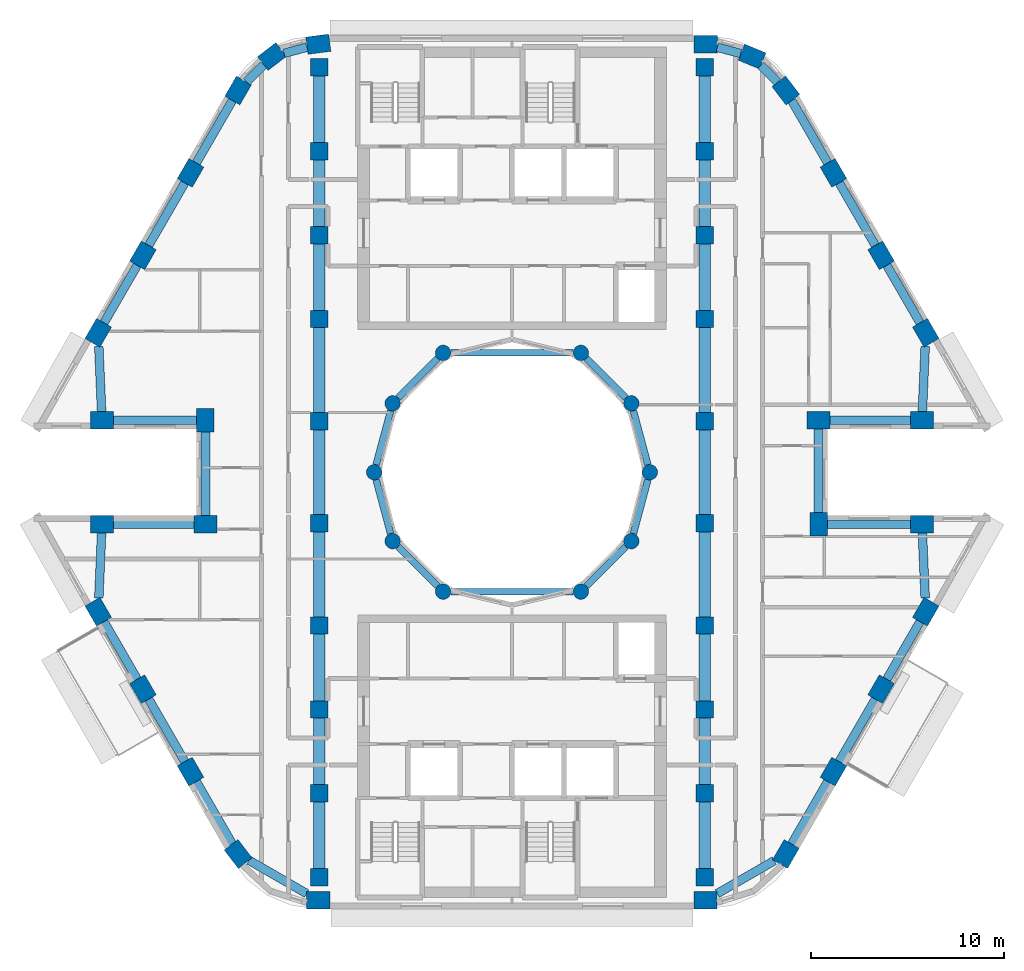
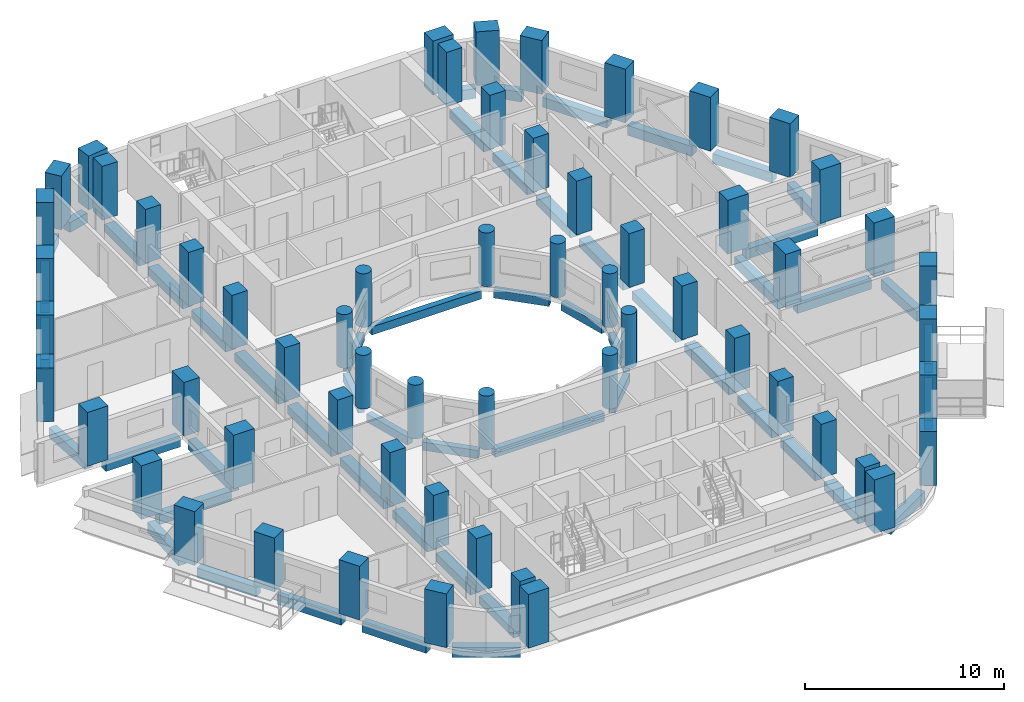
# One storey, part 1 of 16: 60 columns, 56 beams.
"""IFC4 building model written with IfcOpenShell, lengths in metres."""

from ifc_helpers import new_model, si_unit, direction, frame, origin, origin_2d, place, context, subcontext, project, spatial, rectangle, circle, extrude, material, material_profile, profile_set, type_object, element, save


model = new_model("IFC4")

# Units and contexts
model_context = context("Model", 3, precision=1e-05, world=origin(), true_north=direction((0.0, 1.0)))
body_context = subcontext(model_context, "Body", "Model", "MODEL_VIEW")
ifc_project = project(units=[si_unit("LENGTHUNIT", "METRE"), si_unit("AREAUNIT", "SQUARE_METRE"), si_unit("VOLUMEUNIT", "CUBIC_METRE"), si_unit("PLANEANGLEUNIT", "RADIAN"), si_unit("MASSUNIT", "GRAM", prefix="KILO")], contexts=[model_context])

# Site, building, storey
site_placement = place(None, origin())
site = spatial("IfcSite", under=ifc_project, at=site_placement, CompositionType="ELEMENT")
building_placement = place(site_placement, origin())
building = spatial("IfcBuilding", under=site, at=building_placement, Name="Nakaniwa Court", CompositionType="ELEMENT")
storey_placement = place(building_placement, frame((0.0, 0.0, 193.199951171875)))
storey = spatial("IfcBuildingStorey", under=building, at=storey_placement, Name="L50", CompositionType="ELEMENT", Elevation=193.199951171875)

# Columns
ifc_material = material(Name="Concrete C80/100", Category="concrete")
ifc_material_profile_1 = material_profile(ifc_material, rectangle(XDim=1.199951171875, YDim=0.89990234375, at=origin_2d()), Name="Concrete C80/100 RC 1200x900 perimeter column")
ifc_profile_set_1 = profile_set([ifc_material_profile_1], Name="Concrete C80/100")
column_type_1 = type_object("IfcColumnType", Name="Concrete C80/100 RC 1200x900 perimeter column", PredefinedType="COLUMN", material=ifc_profile_set_1)
for number, where, z_axis, x_axis, name in (
    (1, (69.95458984375, 102.199951171875, 0.0), (0.0, 0.0, 1.0), (-0.991442583111, -0.130543496177, 0.0), "COLUMN CO-01"),
    (2, (67.552001953125, 101.560302734375, 0.0), (0.0, 0.0, 1.0), (-0.793363965062, -0.608747582288, 0.0), "COLUMN CO-02"),
    (3, (65.796875, 99.799560546875, 0.0), (0.0, 0.0, 1.0), (-0.5, -0.866025403784, 0.0), "COLUMN CO-03"),
    (4, (63.328857421875, 95.524658203125, 0.0), (0.0, 0.0, 1.0), (-0.5, -0.866025403784, 0.0), "COLUMN CO-04"),
    (5, (60.860595703125, 91.249755859375, 0.0), (0.0, 0.0, 1.0), (-0.5, -0.866025403784, 0.0), "COLUMN CO-05"),
    (6, (58.541015625, 87.232177734375, 0.0), (0.0, 0.0, 1.0), (-0.5, -0.866025403784, 0.0), "COLUMN CO-06"),
    (7, (58.736083984375, 82.699951171875, 0.0), (0.0, 0.0, 1.0), (1.0, 0.0, 0.0), "COLUMN CO-08"),
    (8, (64.1005859375, 82.699951171875, 0.0), (0.0, 0.0, 1.0), (0.0, -1.0, 0.0), "COLUMN CO-09"),
    (9, (64.1005859375, 77.300048828125, 0.0), (0.0, 0.0, 1.0), (-1.0, 0.0, 0.0), "COLUMN CO-10"),
    (10, (58.736083984375, 77.300048828125, 0.0), (0.0, 0.0, 1.0), (-1.0, 0.0, 0.0), "COLUMN CO-11"),
    (11, (58.541015625, 72.767822265625, 0.0), (0.0, 0.0, 1.0), (0.5, -0.866025403784, 0.0), "COLUMN CO-13"),
    (12, (60.860595703125, 68.750244140625, 0.0), (0.0, 0.0, 1.0), (0.5, -0.866025403784, 0.0), "COLUMN CO-14"),
    (13, (63.328857421875, 64.475341796875, 0.0), (0.0, 0.0, 1.0), (0.5, -0.866025403784, 0.0), "COLUMN CO-15"),
    (14, (65.796875, 60.200439453125, 0.0), (0.0, 0.0, 1.0), (0.608761429009, -0.793353340291, 0.0), "COLUMN CO-16"),
    (15, (69.95458984375, 57.800048828125, 0.0), (0.0, 0.0, 1.0), (1.0, 0.0, 0.0), "COLUMN CO-17"),
    (16, (90.03955078125, 57.800048828125, 0.0), (0.0, 0.0, 1.0), (1.0, 0.0, 0.0), "COLUMN CO-21"),
    (17, (94.203125, 60.200439453125, 0.0), (0.0, 0.0, 1.0), (0.5, 0.866025403784, 0.0), "COLUMN CO-22"),
    (18, (96.671142578125, 64.475341796875, 0.0), (0.0, 0.0, 1.0), (0.5, 0.866025403784, 0.0), "COLUMN CO-23"),
    (19, (99.139404296875, 68.750244140625, 0.0), (0.0, 0.0, 1.0), (0.5, 0.866025403784, 0.0), "COLUMN CO-24"),
    (20, (101.458984375, 72.767822265625, 0.0), (0.0, 0.0, 1.0), (0.5, 0.866025403784, 0.0), "COLUMN CO-25"),
    (21, (101.263916015625, 77.300048828125, 0.0), (0.0, 0.0, 1.0), (-1.0, 0.0, 0.0), "COLUMN CO-27"),
    (22, (95.8994140625, 77.300048828125, 0.0), (0.0, 0.0, 1.0), (0.0, 1.0, 0.0), "COLUMN CO-28"),
    (23, (95.8994140625, 82.699951171875, 0.0), (0.0, 0.0, 1.0), (1.0, 0.0, 0.0), "COLUMN CO-29"),
    (24, (101.263916015625, 82.699951171875, 0.0), (0.0, 0.0, 1.0), (1.0, 0.0, 0.0), "COLUMN CO-30"),
    (25, (101.458984375, 87.232177734375, 0.0), (0.0, 0.0, 1.0), (-0.5, 0.866025403784, 0.0), "COLUMN CO-32"),
    (26, (99.139404296875, 91.249755859375, 0.0), (0.0, 0.0, 1.0), (-0.5, 0.866025403784, 0.0), "COLUMN CO-33"),
    (27, (96.671142578125, 95.524658203125, 0.0), (0.0, 0.0, 1.0), (-0.5, 0.866025403784, 0.0), "COLUMN CO-34"),
    (28, (94.203125, 99.799560546875, 0.0), (0.0, 0.0, 1.0), (-0.608761429009, 0.793353340291, 0.0), "COLUMN CO-35"),
    (29, (92.447998046875, 101.560302734375, 0.0), (0.0, 0.0, 1.0), (-0.923879532511, 0.382683432365, 0.0), "COLUMN CO-36"),
    (30, (90.04541015625, 102.199951171875, 0.0), (0.0, 0.0, 1.0), (-1.0, 0.0, 0.0), "COLUMN CO-37"),
):
    element("IfcColumn", number, at=place(storey_placement, frame(where, z_axis=z_axis, x_axis=x_axis)), inside=storey, type_object=column_type_1, Name=name, PredefinedType="COLUMN", context=body_context, shape_type="SweptSolid", body=[
        extrude(rectangle(XDim=1.199951171875, YDim=0.89990234375, at=origin_2d()), origin(), (0.0, 0.0, 1.0), 3.300048828125),
    ])
ifc_material_profile_2 = material_profile(ifc_material, rectangle(XDim=0.89990234375, YDim=0.89990234375, at=origin_2d()), Name="Concrete C80/100 RC 900x900 spine column")
ifc_profile_set_2 = profile_set([ifc_material_profile_2], Name="Concrete C80/100")
column_type_2 = type_object("IfcColumnType", Name="Concrete C80/100 RC 900x900 spine column", PredefinedType="COLUMN", material=ifc_profile_set_2)
for number, where, z_axis, x_axis, name in (
    (31, (90.0, 59.0, 0.0), (0.0, 0.0, 1.0), (0.0, 1.0, 0.0), "COLUMN CS-01"),
    (32, (90.0, 63.35009765625, 0.0), (0.0, 0.0, 1.0), (0.0, 1.0, 0.0), "COLUMN CS-02"),
    (33, (90.0, 67.699951171875, 0.0), (0.0, 0.0, 1.0), (0.0, 1.0, 0.0), "COLUMN CS-03"),
    (34, (90.0, 72.050048828125, 0.0), (0.0, 0.0, 1.0), (0.0, 1.0, 0.0), "COLUMN CS-04"),
    (35, (90.0, 77.35009765625, 0.0), (0.0, 0.0, 1.0), (0.0, 1.0, 0.0), "COLUMN CS-05"),
    (36, (90.0, 82.64990234375, 0.0), (0.0, 0.0, 1.0), (0.0, 1.0, 0.0), "COLUMN CS-06"),
    (37, (90.0, 87.949951171875, 0.0), (0.0, 0.0, 1.0), (0.0, 1.0, 0.0), "COLUMN CS-07"),
    (38, (90.0, 92.300048828125, 0.0), (0.0, 0.0, 1.0), (0.0, 1.0, 0.0), "COLUMN CS-08"),
    (39, (90.0, 96.64990234375, 0.0), (0.0, 0.0, 1.0), (0.0, 1.0, 0.0), "COLUMN CS-09"),
    (40, (90.0, 101.0, 0.0), (0.0, 0.0, 1.0), (0.0, 1.0, 0.0), "COLUMN CS-10"),
    (41, (70.0, 101.0, 0.0), (0.0, 0.0, 1.0), (0.0, -1.0, 0.0), "COLUMN CS-11"),
    (42, (70.0, 96.64990234375, 0.0), (0.0, 0.0, 1.0), (0.0, -1.0, 0.0), "COLUMN CS-12"),
    (43, (70.0, 92.300048828125, 0.0), (0.0, 0.0, 1.0), (0.0, -1.0, 0.0), "COLUMN CS-13"),
    (44, (70.0, 87.949951171875, 0.0), (0.0, 0.0, 1.0), (0.0, -1.0, 0.0), "COLUMN CS-14"),
    (45, (70.0, 82.64990234375, 0.0), (0.0, 0.0, 1.0), (0.0, -1.0, 0.0), "COLUMN CS-15"),
    (46, (70.0, 77.35009765625, 0.0), (0.0, 0.0, 1.0), (0.0, -1.0, 0.0), "COLUMN CS-16"),
    (47, (70.0, 72.050048828125, 0.0), (0.0, 0.0, 1.0), (0.0, -1.0, 0.0), "COLUMN CS-17"),
    (48, (70.0, 67.699951171875, 0.0), (0.0, 0.0, 1.0), (0.0, -1.0, 0.0), "COLUMN CS-18"),
    (49, (70.0, 63.35009765625, 0.0), (0.0, 0.0, 1.0), (0.0, -1.0, 0.0), "COLUMN CS-19"),
    (50, (70.0, 59.0, 0.0), (0.0, 0.0, 1.0), (0.0, -1.0, 0.0), "COLUMN CS-20"),
):
    element("IfcColumn", number, at=place(storey_placement, frame(where, z_axis=z_axis, x_axis=x_axis)), inside=storey, type_object=column_type_2, Name=name, PredefinedType="COLUMN", context=body_context, shape_type="SweptSolid", body=[
        extrude(rectangle(XDim=0.89990234375, YDim=0.89990234375, at=origin_2d()), origin(), (0.0, 0.0, 1.0), 3.300048828125),
    ])
ifc_material_profile_3 = material_profile(ifc_material, circle(Radius=0.39990234375, at=origin_2d()), Name="Concrete C80/100 RC D800 inner ring column")
ifc_profile_set_3 = profile_set([ifc_material_profile_3], Name="Concrete C80/100")
column_type_3 = type_object("IfcColumnType", Name="Concrete C80/100 RC D800 inner ring column", PredefinedType="COLUMN", material=ifc_profile_set_3)
for number, where, z_axis, x_axis, name in (
    (51, (87.14990234375, 80.0, 0.0), (0.0, 0.0, 1.0), (0.0, 1.0, 0.0), "COLUMN CI-01"),
    (52, (86.192138671875, 83.574951171875, 0.0), (0.0, 0.0, 1.0), (-0.5, 0.866025403784, 0.0), "COLUMN CI-02"),
    (53, (83.574951171875, 86.192138671875, 0.0), (0.0, 0.0, 1.0), (-0.866025403784, 0.5, 0.0), "COLUMN CI-03"),
    (54, (76.425048828125, 86.192138671875, 0.0), (0.0, 0.0, 1.0), (-0.866025403784, -0.5, 0.0), "COLUMN CI-05"),
    (55, (73.807861328125, 83.574951171875, 0.0), (0.0, 0.0, 1.0), (-0.5, -0.866025403784, 0.0), "COLUMN CI-06"),
    (56, (72.85009765625, 80.0, 0.0), (0.0, 0.0, 1.0), (0.0, -1.0, 0.0), "COLUMN CI-07"),
    (57, (73.807861328125, 76.425048828125, 0.0), (0.0, 0.0, 1.0), (0.5, -0.866025403784, 0.0), "COLUMN CI-08"),
    (58, (76.425048828125, 73.807861328125, 0.0), (0.0, 0.0, 1.0), (0.866025403784, -0.5, 0.0), "COLUMN CI-09"),
    (59, (83.574951171875, 73.807861328125, 0.0), (0.0, 0.0, 1.0), (0.866025403784, 0.5, 0.0), "COLUMN CI-11"),
    (60, (86.192138671875, 76.425048828125, 0.0), (0.0, 0.0, 1.0), (0.5, 0.866025403784, 0.0), "COLUMN CI-12"),
):
    element("IfcColumn", number, at=place(storey_placement, frame(where, z_axis=z_axis, x_axis=x_axis)), inside=storey, type_object=column_type_3, Name=name, PredefinedType="COLUMN", context=body_context, shape_type="SweptSolid", body=[
        extrude(circle(Radius=0.39990234375, at=origin_2d()), origin(), (0.0, 0.0, 1.0), 3.300048828125),
    ])

# Beams
ifc_material_profile_4 = material_profile(ifc_material, rectangle(XDim=0.35009765625, YDim=0.5, at=origin_2d()), Name="Concrete C80/100 RC 350x500 ring beam")
ifc_profile_set_4 = profile_set([ifc_material_profile_4], Name="Concrete C80/100")
beam_type_1 = type_object("IfcBeamType", Name="Concrete C80/100 RC 350x500 ring beam", PredefinedType="BEAM", material=ifc_profile_set_4)
beam_1_placement = place(storey_placement, frame((87.04638671875, 80.386474609375, -0.52490234375), z_axis=(-0.258778150207, 0.965936783115, 0.0), x_axis=(-0.965936783115, -0.258778150207, 0.0)))
element("IfcBeam", 61, at=beam_1_placement, inside=storey, type_object=beam_type_1, Name="RING BEAM", PredefinedType="BEAM", context=body_context, shape_type="SweptSolid", body=[
    extrude(rectangle(XDim=0.35009765625, YDim=0.5, at=origin_2d()), origin(), (0.0, 0.0, 1.0), 2.901123046875),
])
beam_2_placement = place(storey_placement, frame((85.9091796875, 83.85791015625, -0.52490234375), z_axis=(-0.707106781187, 0.707106781187, 0.0), x_axis=(-0.707106781187, -0.707106781187, 0.0)))
element("IfcBeam", 62, at=beam_2_placement, inside=storey, type_object=beam_type_1, Name="RING BEAM", PredefinedType="BEAM", context=body_context, shape_type="SweptSolid", body=[
    extrude(rectangle(XDim=0.35009765625, YDim=0.5, at=origin_2d()), origin(), (0.0, 0.0, 1.0), 2.90087890625),
])
beam_3_placement = place(storey_placement, frame((83.175048828125, 86.192138671875, -0.52490234375), z_axis=(-1.0, 0.0, 0.0), x_axis=(0.0, -1.0, 0.0)))
element("IfcBeam", 63, at=beam_3_placement, inside=storey, type_object=beam_type_1, Name="RING BEAM", PredefinedType="BEAM", context=body_context, shape_type="SweptSolid", body=[
    extrude(rectangle(XDim=0.35009765625, YDim=0.5, at=origin_2d()), origin(), (0.0, 0.0, 1.0), 6.35009765625),
])
beam_4_placement = place(storey_placement, frame((76.14208984375, 85.9091796875, -0.52490234375), z_axis=(-0.707106781187, -0.707106781187, 0.0), x_axis=(0.707106781187, -0.707106781187, 0.0)))
element("IfcBeam", 64, at=beam_4_placement, inside=storey, type_object=beam_type_1, Name="RING BEAM", PredefinedType="BEAM", context=body_context, shape_type="SweptSolid", body=[
    extrude(rectangle(XDim=0.35009765625, YDim=0.5, at=origin_2d()), origin(), (0.0, 0.0, 1.0), 2.90087890625),
])
for number, where, z_axis, x_axis, name in (
    (65, (73.704345703125, 83.188720703125, -0.52490234375), (-0.258778150207, -0.965936783115, 0.0), (0.965936783115, -0.258778150207, 0.0), "RING BEAM"),
    (66, (72.95361328125, 79.613525390625, -0.52490234375), (0.258778150207, -0.965936783115, 0.0), (0.965936783115, 0.258778150207, 0.0), "RING BEAM"),
):
    element("IfcBeam", number, at=place(storey_placement, frame(where, z_axis=z_axis, x_axis=x_axis)), inside=storey, type_object=beam_type_1, Name=name, PredefinedType="BEAM", context=body_context, shape_type="SweptSolid", body=[
        extrude(rectangle(XDim=0.35009765625, YDim=0.5, at=origin_2d()), origin(), (0.0, 0.0, 1.0), 2.901123046875),
    ])
beam_5_placement = place(storey_placement, frame((74.0908203125, 76.14208984375, -0.52490234375), z_axis=(0.707106781187, -0.707106781187, 0.0), x_axis=(0.707106781187, 0.707106781187, 0.0)))
element("IfcBeam", 67, at=beam_5_placement, inside=storey, type_object=beam_type_1, Name="RING BEAM", PredefinedType="BEAM", context=body_context, shape_type="SweptSolid", body=[
    extrude(rectangle(XDim=0.35009765625, YDim=0.5, at=origin_2d()), origin(), (0.0, 0.0, 1.0), 2.90087890625),
])
beam_6_placement = place(storey_placement, frame((76.824951171875, 73.807861328125, -0.52490234375), z_axis=(1.0, 0.0, 0.0), x_axis=(0.0, 1.0, 0.0)))
element("IfcBeam", 68, at=beam_6_placement, inside=storey, type_object=beam_type_1, Name="RING BEAM", PredefinedType="BEAM", context=body_context, shape_type="SweptSolid", body=[
    extrude(rectangle(XDim=0.35009765625, YDim=0.5, at=origin_2d()), origin(), (0.0, 0.0, 1.0), 6.35009765625),
])
beam_7_placement = place(storey_placement, frame((83.85791015625, 74.0908203125, -0.52490234375), z_axis=(0.707106781187, 0.707106781187, 0.0), x_axis=(-0.707106781187, 0.707106781187, 0.0)))
element("IfcBeam", 69, at=beam_7_placement, inside=storey, type_object=beam_type_1, Name="RING BEAM", PredefinedType="BEAM", context=body_context, shape_type="SweptSolid", body=[
    extrude(rectangle(XDim=0.35009765625, YDim=0.5, at=origin_2d()), origin(), (0.0, 0.0, 1.0), 2.90087890625),
])
beam_8_placement = place(storey_placement, frame((86.295654296875, 76.811279296875, -0.52490234375), z_axis=(0.258778150207, 0.965936783115, 0.0), x_axis=(-0.965936783115, 0.258778150207, 0.0)))
element("IfcBeam", 70, at=beam_8_placement, inside=storey, type_object=beam_type_1, Name="RING BEAM", PredefinedType="BEAM", context=body_context, shape_type="SweptSolid", body=[
    extrude(rectangle(XDim=0.35009765625, YDim=0.5, at=origin_2d()), origin(), (0.0, 0.0, 1.0), 2.901123046875),
])
ifc_material_profile_5 = material_profile(ifc_material, rectangle(XDim=0.449951171875, YDim=0.60009765625, at=origin_2d()), Name="Concrete C80/100 RC 450x600 spandrel beam")
ifc_profile_set_5 = profile_set([ifc_material_profile_5], Name="Concrete C80/100")
beam_type_2 = type_object("IfcBeamType", Name="Concrete C80/100 RC 450x600 spandrel beam", PredefinedType="BEAM", material=ifc_profile_set_5)
beam_9_placement = place(storey_placement, frame((69.3701171875, 102.044189453125, -0.574951171875), z_axis=(-0.966320442624, -0.257341800272, 0.0), x_axis=(0.257341800272, -0.966320442624, 0.0)))
element("IfcBeam", 71, at=beam_9_placement, inside=storey, type_object=beam_type_2, Name="SPANDREL BEAM", PredefinedType="BEAM", context=body_context, shape_type="SweptSolid", body=[
    extrude(rectangle(XDim=0.449951171875, YDim=0.60009765625, at=origin_2d()), origin(), (0.0, 0.0, 1.0), 1.2314453125),
])
beam_10_placement = place(storey_placement, frame((67.124755859375, 101.131591796875, -0.574951171875), z_axis=(-0.705943141011, -0.708268509578, 0.0), x_axis=(0.708268509578, -0.705943141011, 0.0)))
element("IfcBeam", 72, at=beam_10_placement, inside=storey, type_object=beam_type_2, Name="SPANDREL BEAM", PredefinedType="BEAM", context=body_context, shape_type="SweptSolid", body=[
    extrude(rectangle(XDim=0.449951171875, YDim=0.60009765625, at=origin_2d()), origin(), (0.0, 0.0, 1.0), 1.259765625),
])
for number, where, z_axis, x_axis, name in (
    (73, (65.496826171875, 99.27978515625, -0.574951171875), (-0.499969460568, -0.866043035016, 0.0), (0.866043035016, -0.499969460568, 0.0), "SPANDREL BEAM"),
    (74, (63.02880859375, 95.0048828125, -0.574951171875), (-0.500018470369, -0.866014739649, 0.0), (0.866014739649, -0.500018470369, 0.0), "SPANDREL BEAM"),
):
    element("IfcBeam", number, at=place(storey_placement, frame(where, z_axis=z_axis, x_axis=x_axis)), inside=storey, type_object=beam_type_2, Name=name, PredefinedType="BEAM", context=body_context, shape_type="SweptSolid", body=[
        extrude(rectangle(XDim=0.449951171875, YDim=0.60009765625, at=origin_2d()), origin(), (0.0, 0.0, 1.0), 3.736083984375),
    ])
beam_11_placement = place(storey_placement, frame((60.560791015625, 90.72998046875, -0.574951171875), z_axis=(-0.500048133448, -0.865997612142, 0.0), x_axis=(0.865997612142, -0.500048133448, 0.0)))
element("IfcBeam", 75, at=beam_11_placement, inside=storey, type_object=beam_type_2, Name="SPANDREL BEAM", PredefinedType="BEAM", context=body_context, shape_type="SweptSolid", body=[
    extrude(rectangle(XDim=0.449951171875, YDim=0.60009765625, at=origin_2d()), origin(), (0.0, 0.0, 1.0), 3.439208984375),
])
beam_12_placement = place(storey_placement, frame((58.57177734375, 86.521728515625, -0.574951171875), z_axis=(0.042897265713, -0.999079488627, 0.0), x_axis=(0.999079488627, 0.042897265713, 0.0)))
element("IfcBeam", 76, at=beam_12_placement, inside=storey, type_object=beam_type_2, Name="SPANDREL BEAM", PredefinedType="BEAM", context=body_context, shape_type="SweptSolid", body=[
    extrude(rectangle(XDim=0.449951171875, YDim=0.60009765625, at=origin_2d()), origin(), (0.0, 0.0, 1.0), 3.375),
])
beam_13_placement = place(storey_placement, frame((59.3359375, 82.699951171875, -0.574951171875), z_axis=(1.0, 0.0, 0.0), x_axis=(0.0, 1.0, 0.0)))
element("IfcBeam", 77, at=beam_13_placement, inside=storey, type_object=beam_type_2, Name="SPANDREL BEAM", PredefinedType="BEAM", context=body_context, shape_type="SweptSolid", body=[
    extrude(rectangle(XDim=0.449951171875, YDim=0.60009765625, at=origin_2d()), origin(), (0.0, 0.0, 1.0), 4.314453125),
])
beam_14_placement = place(storey_placement, frame((64.1005859375, 82.10009765625, -0.574951171875), z_axis=(0.0, -1.0, 0.0), x_axis=(1.0, 0.0, 0.0)))
element("IfcBeam", 78, at=beam_14_placement, inside=storey, type_object=beam_type_2, Name="SPANDREL BEAM", PredefinedType="BEAM", context=body_context, shape_type="SweptSolid", body=[
    extrude(rectangle(XDim=0.449951171875, YDim=0.60009765625, at=origin_2d()), origin(), (0.0, 0.0, 1.0), 4.35009765625),
])
beam_15_placement = place(storey_placement, frame((63.50048828125, 77.300048828125, -0.574951171875), z_axis=(-1.0, 0.0, 0.0), x_axis=(0.0, -1.0, 0.0)))
element("IfcBeam", 79, at=beam_15_placement, inside=storey, type_object=beam_type_2, Name="SPANDREL BEAM", PredefinedType="BEAM", context=body_context, shape_type="SweptSolid", body=[
    extrude(rectangle(XDim=0.449951171875, YDim=0.60009765625, at=origin_2d()), origin(), (0.0, 0.0, 1.0), 4.16455078125),
])
beam_16_placement = place(storey_placement, frame((58.716552734375, 76.85009765625, -0.574951171875), z_axis=(-0.042897265713, -0.999079488627, 0.0), x_axis=(0.999079488627, -0.042897265713, 0.0)))
element("IfcBeam", 80, at=beam_16_placement, inside=storey, type_object=beam_type_2, Name="SPANDREL BEAM", PredefinedType="BEAM", context=body_context, shape_type="SweptSolid", body=[
    extrude(rectangle(XDim=0.449951171875, YDim=0.60009765625, at=origin_2d()), origin(), (0.0, 0.0, 1.0), 3.375),
])
beam_17_placement = place(storey_placement, frame((58.841064453125, 72.248291015625, -0.574951171875), z_axis=(0.500048133448, -0.865997612142, 0.0), x_axis=(0.865997612142, 0.500048133448, 0.0)))
element("IfcBeam", 81, at=beam_17_placement, inside=storey, type_object=beam_type_2, Name="SPANDREL BEAM", PredefinedType="BEAM", context=body_context, shape_type="SweptSolid", body=[
    extrude(rectangle(XDim=0.449951171875, YDim=0.60009765625, at=origin_2d()), origin(), (0.0, 0.0, 1.0), 3.439208984375),
])
beam_18_placement = place(storey_placement, frame((61.16064453125, 68.230712890625, -0.574951171875), z_axis=(0.500018470369, -0.866014739649, 0.0), x_axis=(0.866014739649, 0.500018470369, 0.0)))
element("IfcBeam", 82, at=beam_18_placement, inside=storey, type_object=beam_type_2, Name="SPANDREL BEAM", PredefinedType="BEAM", context=body_context, shape_type="SweptSolid", body=[
    extrude(rectangle(XDim=0.449951171875, YDim=0.60009765625, at=origin_2d()), origin(), (0.0, 0.0, 1.0), 3.736083984375),
])
beam_19_placement = place(storey_placement, frame((63.62890625, 63.955810546875, -0.574951171875), z_axis=(0.499988672538, -0.866031943599, 0.0), x_axis=(0.866031943599, 0.499988672538, 0.0)))
element("IfcBeam", 83, at=beam_19_placement, inside=storey, type_object=beam_type_2, Name="SPANDREL BEAM", PredefinedType="BEAM", context=body_context, shape_type="SweptSolid", body=[
    extrude(rectangle(XDim=0.449951171875, YDim=0.60009765625, at=origin_2d()), origin(), (0.0, 0.0, 1.0), 3.73095703125),
])
beam_20_placement = place(storey_placement, frame((66.359375, 59.875732421875, -0.574951171875), z_axis=(0.866041005548, -0.49997297598, 0.0), x_axis=(0.49997297598, 0.866041005548, 0.0)))
element("IfcBeam", 84, at=beam_20_placement, inside=storey, type_object=beam_type_2, Name="SPANDREL BEAM", PredefinedType="BEAM", context=body_context, shape_type="SweptSolid", body=[
    extrude(rectangle(XDim=0.449951171875, YDim=0.60009765625, at=origin_2d()), origin(), (0.0, 0.0, 1.0), 3.458740234375),
])
beam_21_placement = place(storey_placement, frame((90.639404296875, 58.14599609375, -0.574951171875), z_axis=(0.866361397704, 0.499417589367, 0.0), x_axis=(-0.499417589367, 0.866361397704, 0.0)))
element("IfcBeam", 85, at=beam_21_placement, inside=storey, type_object=beam_type_2, Name="SPANDREL BEAM", PredefinedType="BEAM", context=body_context, shape_type="SweptSolid", body=[
    extrude(rectangle(XDim=0.449951171875, YDim=0.60009765625, at=origin_2d()), origin(), (0.0, 0.0, 1.0), 3.42041015625),
])
for number, where, z_axis, x_axis, name in (
    (86, (94.503173828125, 60.72021484375, -0.574951171875), (0.499969460568, 0.866043035016, 0.0), (-0.866043035016, 0.499969460568, 0.0), "SPANDREL BEAM"),
    (87, (96.97119140625, 64.9951171875, -0.574951171875), (0.500018470369, 0.866014739649, 0.0), (-0.866014739649, 0.500018470369, 0.0), "SPANDREL BEAM"),
):
    element("IfcBeam", number, at=place(storey_placement, frame(where, z_axis=z_axis, x_axis=x_axis)), inside=storey, type_object=beam_type_2, Name=name, PredefinedType="BEAM", context=body_context, shape_type="SweptSolid", body=[
        extrude(rectangle(XDim=0.449951171875, YDim=0.60009765625, at=origin_2d()), origin(), (0.0, 0.0, 1.0), 3.736083984375),
    ])
beam_22_placement = place(storey_placement, frame((99.439208984375, 69.27001953125, -0.574951171875), z_axis=(0.500048133448, 0.865997612142, 0.0), x_axis=(-0.865997612142, 0.500048133448, 0.0)))
element("IfcBeam", 88, at=beam_22_placement, inside=storey, type_object=beam_type_2, Name="SPANDREL BEAM", PredefinedType="BEAM", context=body_context, shape_type="SweptSolid", body=[
    extrude(rectangle(XDim=0.449951171875, YDim=0.60009765625, at=origin_2d()), origin(), (0.0, 0.0, 1.0), 3.439208984375),
])
beam_23_placement = place(storey_placement, frame((101.42822265625, 73.478271484375, -0.574951171875), z_axis=(-0.042897265713, 0.999079488627, 0.0), x_axis=(-0.999079488627, -0.042897265713, 0.0)))
element("IfcBeam", 89, at=beam_23_placement, inside=storey, type_object=beam_type_2, Name="SPANDREL BEAM", PredefinedType="BEAM", context=body_context, shape_type="SweptSolid", body=[
    extrude(rectangle(XDim=0.449951171875, YDim=0.60009765625, at=origin_2d()), origin(), (0.0, 0.0, 1.0), 3.375),
])
beam_24_placement = place(storey_placement, frame((100.6640625, 77.300048828125, -0.574951171875), z_axis=(-1.0, 0.0, 0.0), x_axis=(0.0, -1.0, 0.0)))
element("IfcBeam", 90, at=beam_24_placement, inside=storey, type_object=beam_type_2, Name="SPANDREL BEAM", PredefinedType="BEAM", context=body_context, shape_type="SweptSolid", body=[
    extrude(rectangle(XDim=0.449951171875, YDim=0.60009765625, at=origin_2d()), origin(), (0.0, 0.0, 1.0), 4.314453125),
])
beam_25_placement = place(storey_placement, frame((95.8994140625, 77.89990234375, -0.574951171875), z_axis=(0.0, 1.0, 0.0), x_axis=(-1.0, 0.0, 0.0)))
element("IfcBeam", 91, at=beam_25_placement, inside=storey, type_object=beam_type_2, Name="SPANDREL BEAM", PredefinedType="BEAM", context=body_context, shape_type="SweptSolid", body=[
    extrude(rectangle(XDim=0.449951171875, YDim=0.60009765625, at=origin_2d()), origin(), (0.0, 0.0, 1.0), 4.35009765625),
])
beam_26_placement = place(storey_placement, frame((96.49951171875, 82.699951171875, -0.574951171875), z_axis=(1.0, 0.0, 0.0), x_axis=(0.0, 1.0, 0.0)))
element("IfcBeam", 92, at=beam_26_placement, inside=storey, type_object=beam_type_2, Name="SPANDREL BEAM", PredefinedType="BEAM", context=body_context, shape_type="SweptSolid", body=[
    extrude(rectangle(XDim=0.449951171875, YDim=0.60009765625, at=origin_2d()), origin(), (0.0, 0.0, 1.0), 4.16455078125),
])
beam_27_placement = place(storey_placement, frame((101.283447265625, 83.14990234375, -0.574951171875), z_axis=(0.042897265713, 0.999079488627, 0.0), x_axis=(-0.999079488627, 0.042897265713, 0.0)))
element("IfcBeam", 93, at=beam_27_placement, inside=storey, type_object=beam_type_2, Name="SPANDREL BEAM", PredefinedType="BEAM", context=body_context, shape_type="SweptSolid", body=[
    extrude(rectangle(XDim=0.449951171875, YDim=0.60009765625, at=origin_2d()), origin(), (0.0, 0.0, 1.0), 3.375),
])
beam_28_placement = place(storey_placement, frame((101.158935546875, 87.751708984375, -0.574951171875), z_axis=(-0.500048133448, 0.865997612142, 0.0), x_axis=(-0.865997612142, -0.500048133448, 0.0)))
element("IfcBeam", 94, at=beam_28_placement, inside=storey, type_object=beam_type_2, Name="SPANDREL BEAM", PredefinedType="BEAM", context=body_context, shape_type="SweptSolid", body=[
    extrude(rectangle(XDim=0.449951171875, YDim=0.60009765625, at=origin_2d()), origin(), (0.0, 0.0, 1.0), 3.439208984375),
])
beam_29_placement = place(storey_placement, frame((98.83935546875, 91.769287109375, -0.574951171875), z_axis=(-0.500018470369, 0.866014739649, 0.0), x_axis=(-0.866014739649, -0.500018470369, 0.0)))
element("IfcBeam", 95, at=beam_29_placement, inside=storey, type_object=beam_type_2, Name="SPANDREL BEAM", PredefinedType="BEAM", context=body_context, shape_type="SweptSolid", body=[
    extrude(rectangle(XDim=0.449951171875, YDim=0.60009765625, at=origin_2d()), origin(), (0.0, 0.0, 1.0), 3.736083984375),
])
beam_30_placement = place(storey_placement, frame((96.37109375, 96.044189453125, -0.574951171875), z_axis=(-0.499988672538, 0.866031943599, 0.0), x_axis=(-0.866031943599, -0.499988672538, 0.0)))
element("IfcBeam", 96, at=beam_30_placement, inside=storey, type_object=beam_type_2, Name="SPANDREL BEAM", PredefinedType="BEAM", context=body_context, shape_type="SweptSolid", body=[
    extrude(rectangle(XDim=0.449951171875, YDim=0.60009765625, at=origin_2d()), origin(), (0.0, 0.0, 1.0), 3.73095703125),
])
beam_31_placement = place(storey_placement, frame((93.77587890625, 100.22802734375, -0.574951171875), z_axis=(-0.705916034154, 0.708295526404, 0.0), x_axis=(-0.708295526404, -0.705916034154, 0.0)))
element("IfcBeam", 97, at=beam_31_placement, inside=storey, type_object=beam_type_2, Name="SPANDREL BEAM", PredefinedType="BEAM", context=body_context, shape_type="SweptSolid", body=[
    extrude(rectangle(XDim=0.449951171875, YDim=0.60009765625, at=origin_2d()), origin(), (0.0, 0.0, 1.0), 1.231201171875),
])
beam_32_placement = place(storey_placement, frame((91.863037109375, 101.716064453125, -0.574951171875), z_axis=(-0.966337757832, 0.257276772735, 0.0), x_axis=(-0.257276772735, -0.966337757832, 0.0)))
element("IfcBeam", 98, at=beam_32_placement, inside=storey, type_object=beam_type_2, Name="SPANDREL BEAM", PredefinedType="BEAM", context=body_context, shape_type="SweptSolid", body=[
    extrude(rectangle(XDim=0.449951171875, YDim=0.60009765625, at=origin_2d()), origin(), (0.0, 0.0, 1.0), 1.26025390625),
])
ifc_material_profile_6 = material_profile(ifc_material, rectangle(XDim=0.60009765625, YDim=0.5, at=origin_2d()), Name="Concrete C80/100 RC 600x500 ring beam")
ifc_profile_set_6 = profile_set([ifc_material_profile_6], Name="Concrete C80/100")
beam_type_3 = type_object("IfcBeamType", Name="Concrete C80/100 RC 600x500 ring beam", PredefinedType="BEAM", material=ifc_profile_set_6)
for number, where, z_axis, x_axis, name in (
    (99, (90.0, 59.449951171875, -0.52490234375), (0.0, 1.0, 0.0), (-1.0, 0.0, 0.0), "RING BEAM"),
    (100, (90.0, 63.800048828125, -0.52490234375), (0.0, 1.0, 0.0), (-1.0, 0.0, 0.0), "RING BEAM"),
):
    element("IfcBeam", number, at=place(storey_placement, frame(where, z_axis=z_axis, x_axis=x_axis)), inside=storey, type_object=beam_type_3, Name=name, PredefinedType="BEAM", context=body_context, shape_type="SweptSolid", body=[
        extrude(rectangle(XDim=0.60009765625, YDim=0.5, at=origin_2d()), origin(), (0.0, 0.0, 1.0), 3.449951171875),
    ])
beam_33_placement = place(storey_placement, frame((90.0, 68.14990234375, -0.52490234375), z_axis=(0.0, 1.0, 0.0), x_axis=(-1.0, 0.0, 0.0)))
element("IfcBeam", 101, at=beam_33_placement, inside=storey, type_object=beam_type_3, Name="RING BEAM", PredefinedType="BEAM", context=body_context, shape_type="SweptSolid", body=[
    extrude(rectangle(XDim=0.60009765625, YDim=0.5, at=origin_2d()), origin(), (0.0, 0.0, 1.0), 3.4501953125),
])
for number, where, z_axis, x_axis, name in (
    (102, (90.0, 72.5, -0.52490234375), (0.0, 1.0, 0.0), (-1.0, 0.0, 0.0), "RING BEAM"),
    (103, (90.0, 77.800048828125, -0.52490234375), (0.0, 1.0, 0.0), (-1.0, 0.0, 0.0), "RING BEAM"),
    (104, (90.0, 83.10009765625, -0.52490234375), (0.0, 1.0, 0.0), (-1.0, 0.0, 0.0), "RING BEAM"),
):
    element("IfcBeam", number, at=place(storey_placement, frame(where, z_axis=z_axis, x_axis=x_axis)), inside=storey, type_object=beam_type_3, Name=name, PredefinedType="BEAM", context=body_context, shape_type="SweptSolid", body=[
        extrude(rectangle(XDim=0.60009765625, YDim=0.5, at=origin_2d()), origin(), (0.0, 0.0, 1.0), 4.39990234375),
    ])
beam_34_placement = place(storey_placement, frame((90.0, 88.39990234375, -0.52490234375), z_axis=(0.0, 1.0, 0.0), x_axis=(-1.0, 0.0, 0.0)))
element("IfcBeam", 105, at=beam_34_placement, inside=storey, type_object=beam_type_3, Name="RING BEAM", PredefinedType="BEAM", context=body_context, shape_type="SweptSolid", body=[
    extrude(rectangle(XDim=0.60009765625, YDim=0.5, at=origin_2d()), origin(), (0.0, 0.0, 1.0), 3.4501953125),
])
for number, where, z_axis, x_axis, name in (
    (106, (90.0, 92.75, -0.52490234375), (0.0, 1.0, 0.0), (-1.0, 0.0, 0.0), "RING BEAM"),
    (107, (90.0, 97.10009765625, -0.52490234375), (0.0, 1.0, 0.0), (-1.0, 0.0, 0.0), "RING BEAM"),
    (108, (70.0, 100.550048828125, -0.52490234375), (0.0, -1.0, 0.0), (1.0, 0.0, 0.0), "RING BEAM"),
    (109, (70.0, 96.199951171875, -0.52490234375), (0.0, -1.0, 0.0), (1.0, 0.0, 0.0), "RING BEAM"),
):
    element("IfcBeam", number, at=place(storey_placement, frame(where, z_axis=z_axis, x_axis=x_axis)), inside=storey, type_object=beam_type_3, Name=name, PredefinedType="BEAM", context=body_context, shape_type="SweptSolid", body=[
        extrude(rectangle(XDim=0.60009765625, YDim=0.5, at=origin_2d()), origin(), (0.0, 0.0, 1.0), 3.449951171875),
    ])
beam_35_placement = place(storey_placement, frame((70.0, 91.85009765625, -0.52490234375), z_axis=(0.0, -1.0, 0.0), x_axis=(1.0, 0.0, 0.0)))
element("IfcBeam", 110, at=beam_35_placement, inside=storey, type_object=beam_type_3, Name="RING BEAM", PredefinedType="BEAM", context=body_context, shape_type="SweptSolid", body=[
    extrude(rectangle(XDim=0.60009765625, YDim=0.5, at=origin_2d()), origin(), (0.0, 0.0, 1.0), 3.4501953125),
])
for number, where, z_axis, x_axis, name in (
    (111, (70.0, 87.5, -0.52490234375), (0.0, -1.0, 0.0), (1.0, 0.0, 0.0), "RING BEAM"),
    (112, (70.0, 82.199951171875, -0.52490234375), (0.0, -1.0, 0.0), (1.0, 0.0, 0.0), "RING BEAM"),
    (113, (70.0, 76.89990234375, -0.52490234375), (0.0, -1.0, 0.0), (1.0, 0.0, 0.0), "RING BEAM"),
):
    element("IfcBeam", number, at=place(storey_placement, frame(where, z_axis=z_axis, x_axis=x_axis)), inside=storey, type_object=beam_type_3, Name=name, PredefinedType="BEAM", context=body_context, shape_type="SweptSolid", body=[
        extrude(rectangle(XDim=0.60009765625, YDim=0.5, at=origin_2d()), origin(), (0.0, 0.0, 1.0), 4.39990234375),
    ])
beam_36_placement = place(storey_placement, frame((70.0, 71.60009765625, -0.52490234375), z_axis=(0.0, -1.0, 0.0), x_axis=(1.0, 0.0, 0.0)))
element("IfcBeam", 114, at=beam_36_placement, inside=storey, type_object=beam_type_3, Name="RING BEAM", PredefinedType="BEAM", context=body_context, shape_type="SweptSolid", body=[
    extrude(rectangle(XDim=0.60009765625, YDim=0.5, at=origin_2d()), origin(), (0.0, 0.0, 1.0), 3.4501953125),
])
for number, where, z_axis, x_axis, name in (
    (115, (70.0, 67.25, -0.52490234375), (0.0, -1.0, 0.0), (1.0, 0.0, 0.0), "RING BEAM"),
    (116, (70.0, 62.89990234375, -0.52490234375), (0.0, -1.0, 0.0), (1.0, 0.0, 0.0), "RING BEAM"),
):
    element("IfcBeam", number, at=place(storey_placement, frame(where, z_axis=z_axis, x_axis=x_axis)), inside=storey, type_object=beam_type_3, Name=name, PredefinedType="BEAM", context=body_context, shape_type="SweptSolid", body=[
        extrude(rectangle(XDim=0.60009765625, YDim=0.5, at=origin_2d()), origin(), (0.0, 0.0, 1.0), 3.449951171875),
    ])

save(model, "model.ifc")
